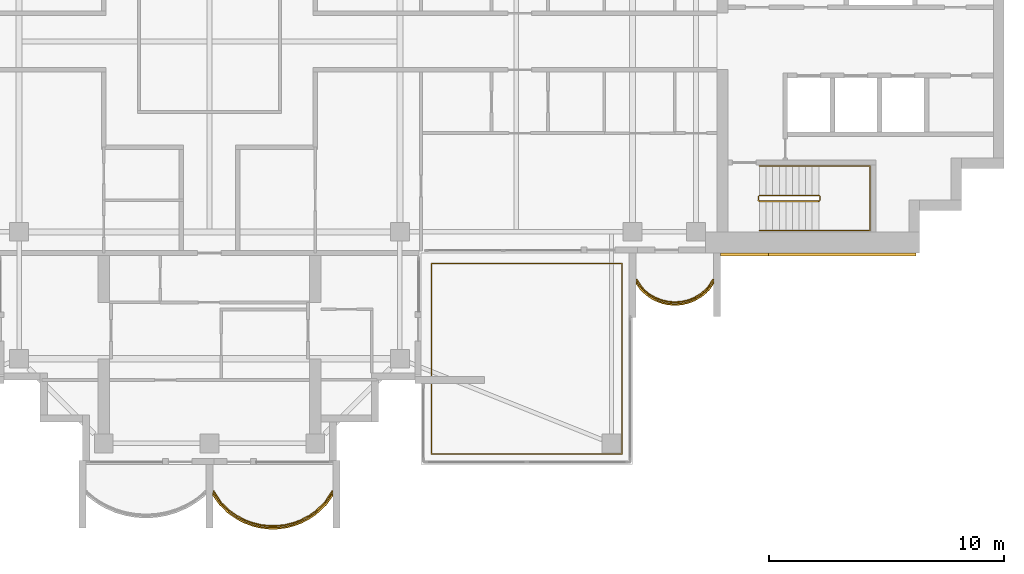
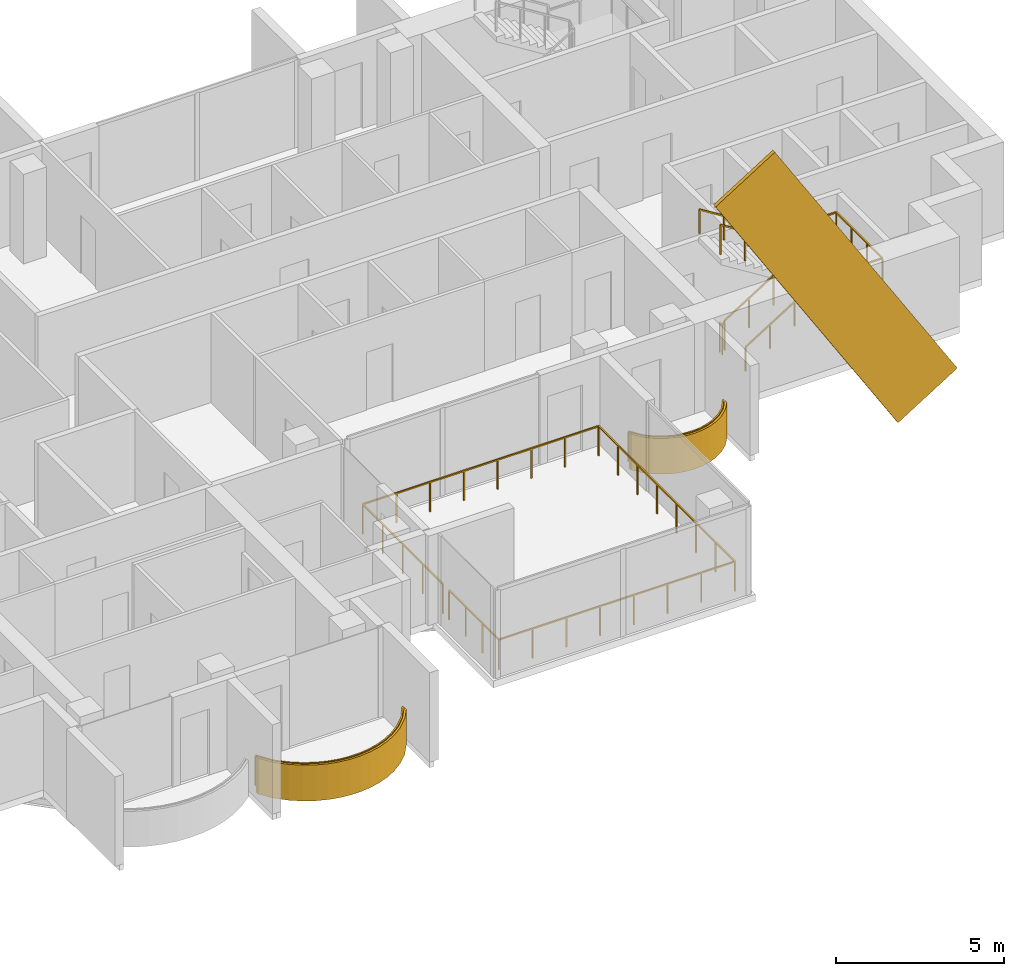
# One storey, part 15 of 16: 5 railings, 3 coverings.
"""IFC4 building model written with IfcOpenShell, lengths in metres."""

from ifc_helpers import new_model, si_unit, direction, frame, origin, origin_2d, place, context, subcontext, project, spatial, polyline, rectangle, outline, extrude, material, layer, layer_set, material_profile, profile_set, type_object, element, save


model = new_model("IFC4")

# Units and contexts
model_context = context("Model", 3, precision=1e-05, world=origin(), true_north=direction((0.0, 1.0)))
body_context = subcontext(model_context, "Body", "Model", "MODEL_VIEW")
ifc_project = project(units=[si_unit("LENGTHUNIT", "METRE"), si_unit("AREAUNIT", "SQUARE_METRE"), si_unit("VOLUMEUNIT", "CUBIC_METRE"), si_unit("PLANEANGLEUNIT", "RADIAN"), si_unit("MASSUNIT", "GRAM", prefix="KILO")], contexts=[model_context])

# Site, building, storey
site_placement = place(None, origin())
site = spatial("IfcSite", under=ifc_project, at=site_placement, CompositionType="ELEMENT")
building_placement = place(site_placement, origin())
building = spatial("IfcBuilding", under=site, at=building_placement, Name="Perihelion Cross Residences", CompositionType="ELEMENT")
storey_placement = place(building_placement, frame((0.0, 0.0, 250.0)))
storey = spatial("IfcBuildingStorey", under=building, at=storey_placement, Name="L63", CompositionType="ELEMENT", Elevation=250.0)

# Coverings
ifc_material_1 = material(Name="Bronze anodised aluminium", Category="aluminium")
ifc_layer = layer(ifc_material_1, 0.070068359375)
ifc_layer_set = layer_set([ifc_layer], Name="Balcony fascia 1300")
covering_type_1 = type_object("IfcCoveringType", Name="Balcony fascia 1300", PredefinedType="CLADDING", material=ifc_layer_set)
covering_1_placement = place(storey_placement, frame((0.0, 0.0, -0.199951171875)))
element("IfcCovering", 1, at=covering_1_placement, inside=storey, type_object=covering_type_1, Name="Fascia BF1 L63 south tip south bay 2", PredefinedType="CLADDING", context=body_context, shape_type="SweptSolid", body=[
    extrude(outline(polyline([(0.43701171875, -19.722412109375), (0.78515625, -20.060791015625), (1.13330078125, -20.308837890625), (1.4814453125, -20.4912109375), (1.82958984375, -20.620361328125), (2.177734375, -20.703369140625), (2.52587890625, -20.743896484375), (2.8740234375, -20.743896484375), (3.22216796875, -20.703369140625), (3.5703125, -20.620361328125), (3.91845703125, -20.4912109375), (4.2666015625, -20.308837890625), (4.61474609375, -20.060791015625), (4.963134765625, -19.722412109375), (5.25, -19.320556640625), (5.25, -19.199951171875), (4.909912109375, -19.6767578125), (4.570068359375, -20.007080078125), (4.22998046875, -20.2490234375), (3.889892578125, -20.42724609375), (3.550048828125, -20.553466796875), (3.2099609375, -20.63427734375), (2.8701171875, -20.674072265625), (2.530029296875, -20.674072265625), (2.18994140625, -20.63427734375), (1.85009765625, -20.553466796875), (1.510009765625, -20.42724609375), (1.169921875, -20.2490234375), (0.830078125, -20.007080078125), (0.489990234375, -19.6767578125), (0.14990234375, -19.199951171875), (0.14990234375, -19.320556640625), (0.43701171875, -19.722412109375)])), origin(), (0.0, 0.0, 1.0), 1.300048828125),
])
covering_2_placement = place(storey_placement, frame((0.0, 0.0, -0.199951171875)))
element("IfcCovering", 2, at=covering_2_placement, inside=storey, type_object=covering_type_1, Name="Fascia BF1 L63 east side south bay 2", PredefinedType="CLADDING", context=body_context, shape_type="SweptSolid", body=[
    extrude(outline(polyline([(18.373779296875, -10.616455078125), (18.6591796875, -10.86328125), (18.9443359375, -11.031494140625), (19.229736328125, -11.142578125), (19.514892578125, -11.206298828125), (19.800048828125, -11.22705078125), (20.085205078125, -11.206298828125), (20.370361328125, -11.142578125), (20.655517578125, -11.031494140625), (20.94091796875, -10.86328125), (21.226318359375, -10.616455078125), (21.449951171875, -10.31689453125), (21.449951171875, -10.199951171875), (21.175048828125, -10.568603515625), (20.89990234375, -10.806396484375), (20.625, -10.96875), (20.35009765625, -11.07568359375), (20.074951171875, -11.136962890625), (19.800048828125, -11.156982421875), (19.52490234375, -11.136962890625), (19.25, -11.07568359375), (18.97509765625, -10.96875), (18.699951171875, -10.806396484375), (18.425048828125, -10.568603515625), (18.14990234375, -10.199951171875), (18.14990234375, -10.31689453125), (18.373779296875, -10.616455078125)])), origin(), (0.0, 0.0, 1.0), 1.300048828125),
])

# Railings
ifc_material_2 = material(Name="Bronze anodised aluminium", Category="aluminium")
railing_type_1 = type_object("IfcRailingType", Name="Balcony guard 1100", PredefinedType="GUARDRAIL", material=ifc_material_2)
railing_1_placement = place(storey_placement, frame((0.175048828125, -19.139892578125, 0.0)))
element("IfcRailing", 3, at=railing_1_placement, inside=storey, type_object=railing_type_1, Name="Guard GU1 L63 south tip south bay 2 balcony", PredefinedType="GUARDRAIL", context=body_context, shape_type="SweptSolid", body=[
    extrude(rectangle(XDim=0.048095703125, YDim=0.048095703125, at=origin_2d()), frame((0.0, 0.0, 1.076171875), z_axis=(0.551145731138, -0.834409002258, 0.0), x_axis=(0.834409002258, 0.551145731138, 0.0)), (0.0, 0.0, 1.0), 0.571533203125),
    extrude(rectangle(XDim=0.048095703125, YDim=0.048095703125, at=origin_2d()), frame((0.31494140625, -0.476806640625, 1.076171875), z_axis=(0.717330852669, -0.69673269466, 0.0), x_axis=(0.69673269466, 0.717330852669, 0.0)), (0.0, 0.0, 1.0), 0.47412109375),
    extrude(rectangle(XDim=0.048095703125, YDim=0.048095703125, at=origin_2d()), frame((0.655029296875, -0.80712890625, 1.076171875), z_axis=(0.814365457194, -0.580352394782, 0.0), x_axis=(0.580352394782, 0.814365457194, 0.0)), (0.0, 0.0, 1.0), 0.417236328125),
    extrude(rectangle(XDim=0.048095703125, YDim=0.048095703125, at=origin_2d()), frame((0.994873046875, -1.04931640625, 1.076171875), z_axis=(0.886005761733, -0.463674228502, 0.0), x_axis=(0.463674228502, 0.886005761733, 0.0)), (0.0, 0.0, 1.0), 0.3837890625),
    extrude(rectangle(XDim=0.048095703125, YDim=0.048095703125, at=origin_2d()), frame((1.3349609375, -1.227294921875, 1.076171875), z_axis=(0.93751311099, -0.347949948587, 0.0), x_axis=(0.347949948587, 0.93751311099, 0.0)), (0.0, 0.0, 1.0), 0.36279296875),
    extrude(rectangle(XDim=0.048095703125, YDim=0.048095703125, at=origin_2d()), frame((1.675048828125, -1.353515625, 1.076171875), z_axis=(0.972716168284, -0.231998396458, 0.0), x_axis=(0.231998396458, 0.972716168284, 0.0)), (0.0, 0.0, 1.0), 0.349365234375),
    extrude(rectangle(XDim=0.048095703125, YDim=0.048095703125, at=origin_2d()), frame((2.014892578125, -1.4345703125, 1.076171875), z_axis=(0.993305477634, -0.11551721994, 0.0), x_axis=(0.11551721994, 0.993305477634, 0.0)), (0.0, 0.0, 1.0), 0.34228515625),
    extrude(rectangle(XDim=0.048095703125, YDim=0.048095703125, at=origin_2d()), frame((2.35498046875, -1.47412109375, 1.076171875), z_axis=(1.0, 0.0, 0.0), x_axis=(0.0, 1.0, 0.0)), (0.0, 0.0, 1.0), 0.340087890625),
    extrude(rectangle(XDim=0.048095703125, YDim=0.048095703125, at=origin_2d()), frame((2.695068359375, -1.47412109375, 1.076171875), z_axis=(0.993295952156, 0.11559909788, 0.0), x_axis=(-0.11559909788, 0.993295952156, 0.0)), (0.0, 0.0, 1.0), 0.342041015625),
    extrude(rectangle(XDim=0.048095703125, YDim=0.048095703125, at=origin_2d()), frame((3.034912109375, -1.4345703125, 1.076171875), z_axis=(0.972753741142, 0.231840805498, 0.0), x_axis=(-0.231840805498, 0.972753741142, 0.0)), (0.0, 0.0, 1.0), 0.349609375),
    extrude(rectangle(XDim=0.048095703125, YDim=0.048095703125, at=origin_2d()), frame((3.375, -1.353515625, 1.076171875), z_axis=(0.937431552165, 0.348169621027, 0.0), x_axis=(-0.348169621027, 0.937431552165, 0.0)), (0.0, 0.0, 1.0), 0.362548828125),
    extrude(rectangle(XDim=0.048095703125, YDim=0.048095703125, at=origin_2d()), frame((3.71484375, -1.227294921875, 1.076171875), z_axis=(0.886005761733, 0.463674228502, 0.0), x_axis=(-0.463674228502, 0.886005761733, 0.0)), (0.0, 0.0, 1.0), 0.3837890625),
    extrude(rectangle(XDim=0.048095703125, YDim=0.048095703125, at=origin_2d()), frame((4.054931640625, -1.04931640625, 1.076171875), z_axis=(0.814562360662, 0.580075995532, 0.0), x_axis=(-0.580075995532, 0.814562360662, 0.0)), (0.0, 0.0, 1.0), 0.41748046875),
    extrude(rectangle(XDim=0.048095703125, YDim=0.048095703125, at=origin_2d()), frame((4.39501953125, -0.80712890625, 1.076171875), z_axis=(0.717080736691, 0.696990112603, 0.0), x_axis=(-0.696990112603, 0.717080736691, 0.0)), (0.0, 0.0, 1.0), 0.473876953125),
    extrude(rectangle(XDim=0.048095703125, YDim=0.048095703125, at=origin_2d()), frame((4.73486328125, -0.476806640625, 1.076171875), z_axis=(0.55144309028, 0.834212513801, 0.0), x_axis=(-0.834212513801, 0.55144309028, 0.0)), (0.0, 0.0, 1.0), 0.571533203125),
    extrude(rectangle(XDim=0.0419921875, YDim=0.0419921875, at=origin_2d()), origin(), (0.0, 0.0, 1.0), 1.052001953125),
    extrude(rectangle(XDim=0.0419921875, YDim=0.0419921875, at=origin_2d()), frame((0.31494140625, -0.476806640625, 0.0)), (0.0, 0.0, 1.0), 1.052001953125),
    extrude(rectangle(XDim=0.0419921875, YDim=0.0419921875, at=origin_2d()), frame((0.655029296875, -0.80712890625, 0.0)), (0.0, 0.0, 1.0), 1.052001953125),
    extrude(rectangle(XDim=0.0419921875, YDim=0.0419921875, at=origin_2d()), frame((0.994873046875, -1.04931640625, 0.0)), (0.0, 0.0, 1.0), 1.052001953125),
    extrude(rectangle(XDim=0.0419921875, YDim=0.0419921875, at=origin_2d()), frame((1.3349609375, -1.227294921875, 0.0)), (0.0, 0.0, 1.0), 1.052001953125),
    extrude(rectangle(XDim=0.0419921875, YDim=0.0419921875, at=origin_2d()), frame((1.675048828125, -1.353515625, 0.0)), (0.0, 0.0, 1.0), 1.052001953125),
    extrude(rectangle(XDim=0.0419921875, YDim=0.0419921875, at=origin_2d()), frame((2.014892578125, -1.4345703125, 0.0)), (0.0, 0.0, 1.0), 1.052001953125),
    extrude(rectangle(XDim=0.0419921875, YDim=0.0419921875, at=origin_2d()), frame((2.35498046875, -1.47412109375, 0.0)), (0.0, 0.0, 1.0), 1.052001953125),
    extrude(rectangle(XDim=0.0419921875, YDim=0.0419921875, at=origin_2d()), frame((2.695068359375, -1.47412109375, 0.0)), (0.0, 0.0, 1.0), 1.052001953125),
    extrude(rectangle(XDim=0.0419921875, YDim=0.0419921875, at=origin_2d()), frame((3.034912109375, -1.4345703125, 0.0)), (0.0, 0.0, 1.0), 1.052001953125),
    extrude(rectangle(XDim=0.0419921875, YDim=0.0419921875, at=origin_2d()), frame((3.375, -1.353515625, 0.0)), (0.0, 0.0, 1.0), 1.052001953125),
    extrude(rectangle(XDim=0.0419921875, YDim=0.0419921875, at=origin_2d()), frame((3.71484375, -1.227294921875, 0.0)), (0.0, 0.0, 1.0), 1.052001953125),
    extrude(rectangle(XDim=0.0419921875, YDim=0.0419921875, at=origin_2d()), frame((4.054931640625, -1.04931640625, 0.0)), (0.0, 0.0, 1.0), 1.052001953125),
    extrude(rectangle(XDim=0.0419921875, YDim=0.0419921875, at=origin_2d()), frame((4.39501953125, -0.80712890625, 0.0)), (0.0, 0.0, 1.0), 1.052001953125),
    extrude(rectangle(XDim=0.0419921875, YDim=0.0419921875, at=origin_2d()), frame((4.73486328125, -0.476806640625, 0.0)), (0.0, 0.0, 1.0), 1.052001953125),
    extrude(rectangle(XDim=0.0419921875, YDim=0.0419921875, at=origin_2d()), frame((5.050048828125, 0.0, 0.0)), (0.0, 0.0, 1.0), 1.052001953125),
])
railing_2_placement = place(storey_placement, frame((18.175048828125, -10.139892578125, 0.0)))
element("IfcRailing", 4, at=railing_2_placement, inside=storey, type_object=railing_type_1, Name="Guard GU1 L63 east side south bay 2 balcony", PredefinedType="GUARDRAIL", context=body_context, shape_type="SweptSolid", body=[
    extrude(rectangle(XDim=0.048095703125, YDim=0.048095703125, at=origin_2d()), frame((0.0, 0.0, 1.076171875), z_axis=(0.561260132269, -0.827639452857, 0.0), x_axis=(0.827639452857, 0.561260132269, 0.0)), (0.0, 0.0, 1.0), 0.4453125),
    extrude(rectangle(XDim=0.048095703125, YDim=0.048095703125, at=origin_2d()), frame((0.25, -0.36865234375, 1.076171875), z_axis=(0.756309278473, -0.654214242658, 0.0), x_axis=(0.654214242658, 0.756309278473, 0.0)), (0.0, 0.0, 1.0), 0.363525390625),
    extrude(rectangle(XDim=0.048095703125, YDim=0.048095703125, at=origin_2d()), frame((0.52490234375, -0.6064453125, 1.076171875), z_axis=(0.861245845072, -0.508188542123, 0.0), x_axis=(0.508188542123, 0.861245845072, 0.0)), (0.0, 0.0, 1.0), 0.319580078125),
    extrude(rectangle(XDim=0.048095703125, YDim=0.048095703125, at=origin_2d()), frame((0.800048828125, -0.768798828125, 1.076171875), z_axis=(0.931973602183, -0.362526143656, 0.0), x_axis=(0.362526143656, 0.931973602183, 0.0)), (0.0, 0.0, 1.0), 0.294921875),
    extrude(rectangle(XDim=0.048095703125, YDim=0.048095703125, at=origin_2d()), frame((1.074951171875, -0.875732421875, 1.076171875), z_axis=(0.976044077717, -0.217572880557, 0.0), x_axis=(0.217572880557, 0.976044077717, 0.0)), (0.0, 0.0, 1.0), 0.28173828125),
    extrude(rectangle(XDim=0.048095703125, YDim=0.048095703125, at=origin_2d()), frame((1.349853515625, -0.93701171875, 1.076171875), z_axis=(0.997363488337, -0.072567707226, 0.0), x_axis=(0.072567707226, 0.997363488337, 0.0)), (0.0, 0.0, 1.0), 0.27587890625),
    extrude(rectangle(XDim=0.048095703125, YDim=0.048095703125, at=origin_2d()), frame((1.625, -0.95703125, 1.076171875), z_axis=(0.997358821833, 0.072631814734, 0.0), x_axis=(-0.072631814734, 0.997358821833, 0.0)), (0.0, 0.0, 1.0), 0.275634765625),
    extrude(rectangle(XDim=0.048095703125, YDim=0.048095703125, at=origin_2d()), frame((1.89990234375, -0.93701171875, 1.076171875), z_axis=(0.976085059389, 0.21738895289, 0.0), x_axis=(-0.21738895289, 0.976085059389, 0.0)), (0.0, 0.0, 1.0), 0.281982421875),
    extrude(rectangle(XDim=0.048095703125, YDim=0.048095703125, at=origin_2d()), frame((2.175048828125, -0.875732421875, 1.076171875), z_axis=(0.931973602183, 0.362526143656, 0.0), x_axis=(-0.362526143656, 0.931973602183, 0.0)), (0.0, 0.0, 1.0), 0.294921875),
    extrude(rectangle(XDim=0.048095703125, YDim=0.048095703125, at=origin_2d()), frame((2.449951171875, -0.768798828125, 1.076171875), z_axis=(0.861048292884, 0.508523192511, 0.0), x_axis=(-0.508523192511, 0.861048292884, 0.0)), (0.0, 0.0, 1.0), 0.3193359375),
    extrude(rectangle(XDim=0.048095703125, YDim=0.048095703125, at=origin_2d()), frame((2.724853515625, -0.6064453125, 1.076171875), z_axis=(0.756596535164, 0.653882009982, 0.0), x_axis=(-0.653882009982, 0.756596535164, 0.0)), (0.0, 0.0, 1.0), 0.36376953125),
    extrude(rectangle(XDim=0.048095703125, YDim=0.048095703125, at=origin_2d()), frame((3.0, -0.36865234375, 1.076171875), z_axis=(0.561260132269, 0.827639452857, 0.0), x_axis=(-0.827639452857, 0.561260132269, 0.0)), (0.0, 0.0, 1.0), 0.4453125),
    extrude(rectangle(XDim=0.0419921875, YDim=0.0419921875, at=origin_2d()), origin(), (0.0, 0.0, 1.0), 1.052001953125),
    extrude(rectangle(XDim=0.0419921875, YDim=0.0419921875, at=origin_2d()), frame((0.25, -0.36865234375, 0.0)), (0.0, 0.0, 1.0), 1.052001953125),
    extrude(rectangle(XDim=0.0419921875, YDim=0.0419921875, at=origin_2d()), frame((0.52490234375, -0.6064453125, 0.0)), (0.0, 0.0, 1.0), 1.052001953125),
    extrude(rectangle(XDim=0.0419921875, YDim=0.0419921875, at=origin_2d()), frame((0.800048828125, -0.768798828125, 0.0)), (0.0, 0.0, 1.0), 1.052001953125),
    extrude(rectangle(XDim=0.0419921875, YDim=0.0419921875, at=origin_2d()), frame((1.074951171875, -0.875732421875, 0.0)), (0.0, 0.0, 1.0), 1.052001953125),
    extrude(rectangle(XDim=0.0419921875, YDim=0.0419921875, at=origin_2d()), frame((1.349853515625, -0.93701171875, 0.0)), (0.0, 0.0, 1.0), 1.052001953125),
    extrude(rectangle(XDim=0.0419921875, YDim=0.0419921875, at=origin_2d()), frame((1.625, -0.95703125, 0.0)), (0.0, 0.0, 1.0), 1.052001953125),
    extrude(rectangle(XDim=0.0419921875, YDim=0.0419921875, at=origin_2d()), frame((1.89990234375, -0.93701171875, 0.0)), (0.0, 0.0, 1.0), 1.052001953125),
    extrude(rectangle(XDim=0.0419921875, YDim=0.0419921875, at=origin_2d()), frame((2.175048828125, -0.875732421875, 0.0)), (0.0, 0.0, 1.0), 1.052001953125),
    extrude(rectangle(XDim=0.0419921875, YDim=0.0419921875, at=origin_2d()), frame((2.449951171875, -0.768798828125, 0.0)), (0.0, 0.0, 1.0), 1.052001953125),
    extrude(rectangle(XDim=0.0419921875, YDim=0.0419921875, at=origin_2d()), frame((2.724853515625, -0.6064453125, 0.0)), (0.0, 0.0, 1.0), 1.052001953125),
    extrude(rectangle(XDim=0.0419921875, YDim=0.0419921875, at=origin_2d()), frame((3.0, -0.36865234375, 0.0)), (0.0, 0.0, 1.0), 1.052001953125),
    extrude(rectangle(XDim=0.0419921875, YDim=0.0419921875, at=origin_2d()), frame((3.25, 0.0, 0.0)), (0.0, 0.0, 1.0), 1.052001953125),
])
railing_3_placement = place(storey_placement, frame((9.449951171875, -14.2099609375, 0.0)))
element("IfcRailing", 5, at=railing_3_placement, inside=storey, type_object=railing_type_1, Name="Guard GU1 L63 pocket south-east 1", PredefinedType="GUARDRAIL", context=body_context, shape_type="SweptSolid", body=[
    extrude(rectangle(XDim=0.048095703125, YDim=0.048095703125, at=origin_2d()), frame((0.0, 0.0, 1.076171875), z_axis=(0.0, 1.0, 0.0), x_axis=(-1.0, 0.0, 0.0)), (0.0, 0.0, 1.0), 4.760009765625),
    extrude(rectangle(XDim=0.048095703125, YDim=0.048095703125, at=origin_2d()), frame((0.0, 4.760009765625, 1.076171875), z_axis=(1.0, 0.0, 0.0), x_axis=(0.0, 1.0, 0.0)), (0.0, 0.0, 1.0), 8.10009765625),
    extrude(rectangle(XDim=0.048095703125, YDim=0.048095703125, at=origin_2d()), frame((8.10009765625, 4.760009765625, 1.076171875), z_axis=(0.0, -1.0, 0.0), x_axis=(1.0, 0.0, 0.0)), (0.0, 0.0, 1.0), 8.10009765625),
    extrude(rectangle(XDim=0.048095703125, YDim=0.048095703125, at=origin_2d()), frame((8.10009765625, -3.340087890625, 1.076171875), z_axis=(-1.0, 0.0, 0.0), x_axis=(0.0, -1.0, 0.0)), (0.0, 0.0, 1.0), 8.10009765625),
    extrude(rectangle(XDim=0.048095703125, YDim=0.048095703125, at=origin_2d()), frame((0.0, -3.340087890625, 1.076171875), z_axis=(0.0, 1.0, 0.0), x_axis=(-1.0, 0.0, 0.0)), (0.0, 0.0, 1.0), 2.9599609375),
    extrude(rectangle(XDim=0.0419921875, YDim=0.0419921875, at=origin_2d()), origin(), (0.0, 0.0, 1.0), 1.052001953125),
    extrude(rectangle(XDim=0.0419921875, YDim=0.0419921875, at=origin_2d()), frame((0.0, 1.18994140625, 0.0)), (0.0, 0.0, 1.0), 1.052001953125),
    extrude(rectangle(XDim=0.0419921875, YDim=0.0419921875, at=origin_2d()), frame((0.0, 2.3798828125, 0.0)), (0.0, 0.0, 1.0), 1.052001953125),
    extrude(rectangle(XDim=0.0419921875, YDim=0.0419921875, at=origin_2d()), frame((0.0, 3.570068359375, 0.0)), (0.0, 0.0, 1.0), 1.052001953125),
    extrude(rectangle(XDim=0.0419921875, YDim=0.0419921875, at=origin_2d()), frame((0.0, 4.760009765625, 0.0)), (0.0, 0.0, 1.0), 1.052001953125),
    extrude(rectangle(XDim=0.0419921875, YDim=0.0419921875, at=origin_2d()), frame((1.1572265625, 4.760009765625, 0.0)), (0.0, 0.0, 1.0), 1.052001953125),
    extrude(rectangle(XDim=0.0419921875, YDim=0.0419921875, at=origin_2d()), frame((2.314208984375, 4.760009765625, 0.0)), (0.0, 0.0, 1.0), 1.052001953125),
    extrude(rectangle(XDim=0.0419921875, YDim=0.0419921875, at=origin_2d()), frame((3.471435546875, 4.760009765625, 0.0)), (0.0, 0.0, 1.0), 1.052001953125),
    extrude(rectangle(XDim=0.0419921875, YDim=0.0419921875, at=origin_2d()), frame((4.628662109375, 4.760009765625, 0.0)), (0.0, 0.0, 1.0), 1.052001953125),
    extrude(rectangle(XDim=0.0419921875, YDim=0.0419921875, at=origin_2d()), frame((5.785888671875, 4.760009765625, 0.0)), (0.0, 0.0, 1.0), 1.052001953125),
    extrude(rectangle(XDim=0.0419921875, YDim=0.0419921875, at=origin_2d()), frame((6.94287109375, 4.760009765625, 0.0)), (0.0, 0.0, 1.0), 1.052001953125),
    extrude(rectangle(XDim=0.0419921875, YDim=0.0419921875, at=origin_2d()), frame((8.10009765625, 4.760009765625, 0.0)), (0.0, 0.0, 1.0), 1.052001953125),
    extrude(rectangle(XDim=0.0419921875, YDim=0.0419921875, at=origin_2d()), frame((8.10009765625, 3.602783203125, 0.0)), (0.0, 0.0, 1.0), 1.052001953125),
    extrude(rectangle(XDim=0.0419921875, YDim=0.0419921875, at=origin_2d()), frame((8.10009765625, 2.44580078125, 0.0)), (0.0, 0.0, 1.0), 1.052001953125),
    extrude(rectangle(XDim=0.0419921875, YDim=0.0419921875, at=origin_2d()), frame((8.10009765625, 1.28857421875, 0.0)), (0.0, 0.0, 1.0), 1.052001953125),
    extrude(rectangle(XDim=0.0419921875, YDim=0.0419921875, at=origin_2d()), frame((8.10009765625, 0.13134765625, 0.0)), (0.0, 0.0, 1.0), 1.052001953125),
    extrude(rectangle(XDim=0.0419921875, YDim=0.0419921875, at=origin_2d()), frame((8.10009765625, -1.02587890625, 0.0)), (0.0, 0.0, 1.0), 1.052001953125),
    extrude(rectangle(XDim=0.0419921875, YDim=0.0419921875, at=origin_2d()), frame((8.10009765625, -2.182861328125, 0.0)), (0.0, 0.0, 1.0), 1.052001953125),
    extrude(rectangle(XDim=0.0419921875, YDim=0.0419921875, at=origin_2d()), frame((8.10009765625, -3.340087890625, 0.0)), (0.0, 0.0, 1.0), 1.052001953125),
    extrude(rectangle(XDim=0.0419921875, YDim=0.0419921875, at=origin_2d()), frame((6.94287109375, -3.340087890625, 0.0)), (0.0, 0.0, 1.0), 1.052001953125),
    extrude(rectangle(XDim=0.0419921875, YDim=0.0419921875, at=origin_2d()), frame((5.785888671875, -3.340087890625, 0.0)), (0.0, 0.0, 1.0), 1.052001953125),
    extrude(rectangle(XDim=0.0419921875, YDim=0.0419921875, at=origin_2d()), frame((4.628662109375, -3.340087890625, 0.0)), (0.0, 0.0, 1.0), 1.052001953125),
    extrude(rectangle(XDim=0.0419921875, YDim=0.0419921875, at=origin_2d()), frame((3.471435546875, -3.340087890625, 0.0)), (0.0, 0.0, 1.0), 1.052001953125),
    extrude(rectangle(XDim=0.0419921875, YDim=0.0419921875, at=origin_2d()), frame((2.314208984375, -3.340087890625, 0.0)), (0.0, 0.0, 1.0), 1.052001953125),
    extrude(rectangle(XDim=0.0419921875, YDim=0.0419921875, at=origin_2d()), frame((1.1572265625, -3.340087890625, 0.0)), (0.0, 0.0, 1.0), 1.052001953125),
    extrude(rectangle(XDim=0.0419921875, YDim=0.0419921875, at=origin_2d()), frame((0.0, -3.340087890625, 0.0)), (0.0, 0.0, 1.0), 1.052001953125),
    extrude(rectangle(XDim=0.0419921875, YDim=0.0419921875, at=origin_2d()), frame((0.0, -2.353515625, 0.0)), (0.0, 0.0, 1.0), 1.052001953125),
    extrude(rectangle(XDim=0.0419921875, YDim=0.0419921875, at=origin_2d()), frame((0.0, -1.36669921875, 0.0)), (0.0, 0.0, 1.0), 1.052001953125),
    extrude(rectangle(XDim=0.0419921875, YDim=0.0419921875, at=origin_2d()), frame((0.0, -0.380126953125, 0.0)), (0.0, 0.0, 1.0), 1.052001953125),
])

# Covering
ifc_material_3 = material(Name="Bronze anodised aluminium", Category="aluminium")
ifc_material_profile = material_profile(ifc_material_3, rectangle(XDim=0.125, YDim=2.39990234375, at=origin_2d()), Name="Bronze cladding band 2400")
ifc_profile_set = profile_set([ifc_material_profile], Name="Bronze anodised aluminium")
covering_type_2 = type_object("IfcCoveringType", Name="Bronze cladding band 2400", PredefinedType="CLADDING", material=ifc_profile_set)
covering_3_placement = place(storey_placement, frame((29.0322265625, -9.0625, -2.029052734375), z_axis=(-0.529915403603, 0.0, 0.848050508534), x_axis=(0.0, -1.0, 0.0)))
element("IfcCovering", 6, at=covering_3_placement, inside=storey, type_object=covering_type_2, Name="Core cladding band, east core", PredefinedType="CLADDING", context=body_context, shape_type="SweptSolid", body=[
    extrude(rectangle(XDim=0.125, YDim=2.39990234375, at=origin_2d()), origin(), (0.0, 0.0, 1.0), 11.822021484375),
])

# Railings
ifc_material_4 = material(Name="Stainless steel", Category="steel")
railing_type_2 = type_object("IfcRailingType", Name="Stair guard 1100", PredefinedType="GUARDRAIL", material=ifc_material_4)
railing_4_placement = place(storey_placement, frame((23.35009765625, -6.60009765625, 0.0)))
element("IfcRailing", 7, at=railing_4_placement, inside=storey, type_object=railing_type_2, Name="L63 ST-E2 stair guard 1", PredefinedType="GUARDRAIL", context=body_context, shape_type="SweptSolid", body=[
    extrude(rectangle(XDim=0.048095703125, YDim=0.048095703125, at=origin_2d()), frame((0.0, 0.0, 1.076171875), z_axis=(0.0, -1.0, 0.0), x_axis=(1.0, 0.0, 0.0)), (0.0, 0.0, 1.0), 0.14990234375),
    extrude(rectangle(XDim=0.048095703125, YDim=0.048095703125, at=origin_2d()), frame((0.0, -0.14990234375, 1.076171875), z_axis=(0.263862480399, -0.265155923931, 0.927399011991), x_axis=(0.708833529934, 0.705375805398, 0.0)), (0.0, 0.0, 1.0), 0.188720703125),
    extrude(rectangle(XDim=0.048095703125, YDim=0.048095703125, at=origin_2d()), frame((0.0498046875, -0.199951171875, 1.2509765625), z_axis=(0.848007534815, 0.0, 0.529984170421), x_axis=(0.0, 1.0, 0.0)), (0.0, 0.0, 1.0), 2.9716796875),
    extrude(rectangle(XDim=0.048095703125, YDim=0.048095703125, at=origin_2d()), frame((2.56982421875, -0.199951171875, 2.826171875), z_axis=(0.707106781187, 0.707106781187, 0.0), x_axis=(-0.707106781187, 0.707106781187, 0.0)), (0.0, 0.0, 1.0), 0.07080078125),
    extrude(rectangle(XDim=0.048095703125, YDim=0.048095703125, at=origin_2d()), frame((2.619873046875, -0.14990234375, 2.826171875), z_axis=(0.0, 1.0, 0.0), x_axis=(-1.0, 0.0, 0.0)), (0.0, 0.0, 1.0), 0.14990234375),
    extrude(rectangle(XDim=0.048095703125, YDim=0.048095703125, at=origin_2d()), frame((2.619873046875, 0.0, 2.826171875), z_axis=(-0.265065253269, 0.265065253269, 0.927081885822), x_axis=(-0.707106781187, -0.707106781187, 0.0)), (0.0, 0.0, 1.0), 0.188720703125),
    extrude(rectangle(XDim=0.048095703125, YDim=0.048095703125, at=origin_2d()), frame((2.56982421875, 0.050048828125, 3.0009765625), z_axis=(-0.848007534815, 0.0, 0.529984170421), x_axis=(0.0, -1.0, 0.0)), (0.0, 0.0, 1.0), 2.9716796875),
    extrude(rectangle(XDim=0.0419921875, YDim=0.0419921875, at=origin_2d()), origin(), (0.0, 0.0, 1.0), 1.052001953125),
    extrude(rectangle(XDim=0.0419921875, YDim=0.0419921875, at=origin_2d()), frame((0.0, -0.14990234375, 0.0)), (0.0, 0.0, 1.0), 1.052001953125),
    extrude(rectangle(XDim=0.0419921875, YDim=0.0419921875, at=origin_2d()), frame((0.0498046875, -0.199951171875, 0.175048828125)), (0.0, 0.0, 1.0), 1.052001953125),
    extrude(rectangle(XDim=0.0419921875, YDim=0.0419921875, at=origin_2d()), frame((0.889892578125, -0.199951171875, 0.699951171875)), (0.0, 0.0, 1.0), 1.052001953125),
    extrude(rectangle(XDim=0.0419921875, YDim=0.0419921875, at=origin_2d()), frame((1.729736328125, -0.199951171875, 1.22509765625)), (0.0, 0.0, 1.0), 1.052001953125),
    extrude(rectangle(XDim=0.0419921875, YDim=0.0419921875, at=origin_2d()), frame((2.56982421875, -0.199951171875, 1.75)), (0.0, 0.0, 1.0), 1.052001953125),
    extrude(rectangle(XDim=0.0419921875, YDim=0.0419921875, at=origin_2d()), frame((2.619873046875, -0.14990234375, 1.75)), (0.0, 0.0, 1.0), 1.052001953125),
    extrude(rectangle(XDim=0.0419921875, YDim=0.0419921875, at=origin_2d()), frame((2.619873046875, 0.0, 1.75)), (0.0, 0.0, 1.0), 1.052001953125),
    extrude(rectangle(XDim=0.0419921875, YDim=0.0419921875, at=origin_2d()), frame((2.56982421875, 0.050048828125, 1.925048828125)), (0.0, 0.0, 1.0), 1.052001953125),
    extrude(rectangle(XDim=0.0419921875, YDim=0.0419921875, at=origin_2d()), frame((1.729736328125, 0.050048828125, 2.449951171875)), (0.0, 0.0, 1.0), 1.052001953125),
    extrude(rectangle(XDim=0.0419921875, YDim=0.0419921875, at=origin_2d()), frame((0.889892578125, 0.050048828125, 2.97509765625)), (0.0, 0.0, 1.0), 1.052001953125),
    extrude(rectangle(XDim=0.0419921875, YDim=0.0419921875, at=origin_2d()), frame((0.0498046875, 0.050048828125, 3.5)), (0.0, 0.0, 1.0), 1.052001953125),
])
ifc_material_5 = material(Name="Stainless steel", Category="steel")
railing_type_3 = type_object("IfcRailingType", Name="Stair handrail 900", PredefinedType="HANDRAIL", material=ifc_material_5)
railing_5_placement = place(storey_placement, frame((23.39990234375, -8.050048828125, 0.175048828125)))
element("IfcRailing", 8, at=railing_5_placement, inside=storey, type_object=railing_type_3, Name="L63 ST-E2 stair handrail 1", PredefinedType="HANDRAIL", context=body_context, shape_type="SweptSolid", body=[
    extrude(rectangle(XDim=0.048095703125, YDim=0.048095703125, at=origin_2d()), frame((0.0, 0.0, 0.8759765625), z_axis=(0.848007534815, 0.0, 0.529984170421), x_axis=(0.0, 1.0, 0.0)), (0.0, 0.0, 1.0), 2.9716796875),
    extrude(rectangle(XDim=0.048095703125, YDim=0.048095703125, at=origin_2d()), frame((2.52001953125, 0.0, 2.45068359375), z_axis=(1.0, 0.0, 0.0), x_axis=(0.0, 1.0, 0.0)), (0.0, 0.0, 1.0), 2.18017578125),
    extrude(rectangle(XDim=0.048095703125, YDim=0.048095703125, at=origin_2d()), frame((4.7001953125, 0.0, 2.45068359375), z_axis=(0.0, 1.0, 0.0), x_axis=(-1.0, 0.0, 0.0)), (0.0, 0.0, 1.0), 2.75),
    extrude(rectangle(XDim=0.048095703125, YDim=0.048095703125, at=origin_2d()), frame((4.7001953125, 2.75, 2.45068359375), z_axis=(-1.0, 0.0, 0.0), x_axis=(0.0, -1.0, 0.0)), (0.0, 0.0, 1.0), 2.18017578125),
    extrude(rectangle(XDim=0.048095703125, YDim=0.048095703125, at=origin_2d()), frame((2.52001953125, 2.75, 2.45068359375), z_axis=(0.0, 0.0, 1.0), x_axis=(1.0, 0.0, 0.0)), (0.0, 0.0, 1.0), 0.175048828125),
    extrude(rectangle(XDim=0.048095703125, YDim=0.048095703125, at=origin_2d()), frame((2.52001953125, 2.75, 2.6259765625), z_axis=(-0.848007534815, 0.0, 0.529984170421), x_axis=(0.0, -1.0, 0.0)), (0.0, 0.0, 1.0), 2.9716796875),
    extrude(rectangle(XDim=0.0419921875, YDim=0.0419921875, at=origin_2d()), origin(), (0.0, 0.0, 1.0), 0.851806640625),
    extrude(rectangle(XDim=0.0419921875, YDim=0.0419921875, at=origin_2d()), frame((0.840087890625, 0.0, 0.52490234375)), (0.0, 0.0, 1.0), 0.851806640625),
    extrude(rectangle(XDim=0.0419921875, YDim=0.0419921875, at=origin_2d()), frame((1.679931640625, 0.0, 1.050048828125)), (0.0, 0.0, 1.0), 0.851806640625),
    extrude(rectangle(XDim=0.0419921875, YDim=0.0419921875, at=origin_2d()), frame((2.52001953125, 0.0, 1.574951171875)), (0.0, 0.0, 1.0), 0.851806640625),
    extrude(rectangle(XDim=0.0419921875, YDim=0.0419921875, at=origin_2d()), frame((3.610107421875, 0.0, 1.574951171875)), (0.0, 0.0, 1.0), 0.851806640625),
    extrude(rectangle(XDim=0.0419921875, YDim=0.0419921875, at=origin_2d()), frame((4.7001953125, 0.0, 1.574951171875)), (0.0, 0.0, 1.0), 0.851806640625),
    extrude(rectangle(XDim=0.0419921875, YDim=0.0419921875, at=origin_2d()), frame((4.7001953125, 0.916748046875, 1.574951171875)), (0.0, 0.0, 1.0), 0.851806640625),
    extrude(rectangle(XDim=0.0419921875, YDim=0.0419921875, at=origin_2d()), frame((4.7001953125, 1.833251953125, 1.574951171875)), (0.0, 0.0, 1.0), 0.851806640625),
    extrude(rectangle(XDim=0.0419921875, YDim=0.0419921875, at=origin_2d()), frame((4.7001953125, 2.75, 1.574951171875)), (0.0, 0.0, 1.0), 0.851806640625),
    extrude(rectangle(XDim=0.0419921875, YDim=0.0419921875, at=origin_2d()), frame((3.610107421875, 2.75, 1.574951171875)), (0.0, 0.0, 1.0), 0.851806640625),
    extrude(rectangle(XDim=0.0419921875, YDim=0.0419921875, at=origin_2d()), frame((2.52001953125, 2.75, 1.574951171875)), (0.0, 0.0, 1.0), 0.851806640625),
    extrude(rectangle(XDim=0.0419921875, YDim=0.0419921875, at=origin_2d()), frame((2.52001953125, 2.75, 1.75)), (0.0, 0.0, 1.0), 0.851806640625),
    extrude(rectangle(XDim=0.0419921875, YDim=0.0419921875, at=origin_2d()), frame((1.679931640625, 2.75, 2.27490234375)), (0.0, 0.0, 1.0), 0.851806640625),
    extrude(rectangle(XDim=0.0419921875, YDim=0.0419921875, at=origin_2d()), frame((0.840087890625, 2.75, 2.800048828125)), (0.0, 0.0, 1.0), 0.851806640625),
    extrude(rectangle(XDim=0.0419921875, YDim=0.0419921875, at=origin_2d()), frame((0.0, 2.75, 3.324951171875)), (0.0, 0.0, 1.0), 0.851806640625),
])

save(model, "model.ifc")
